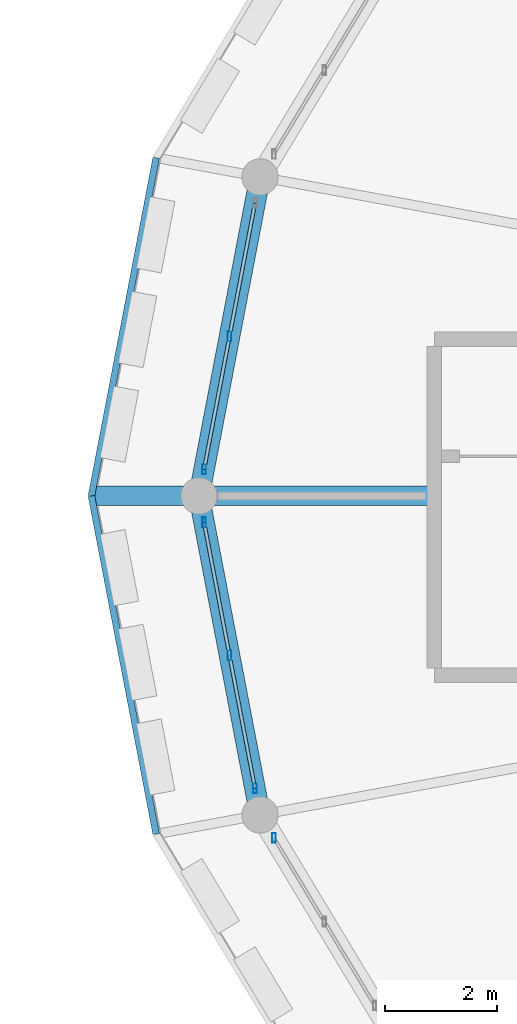
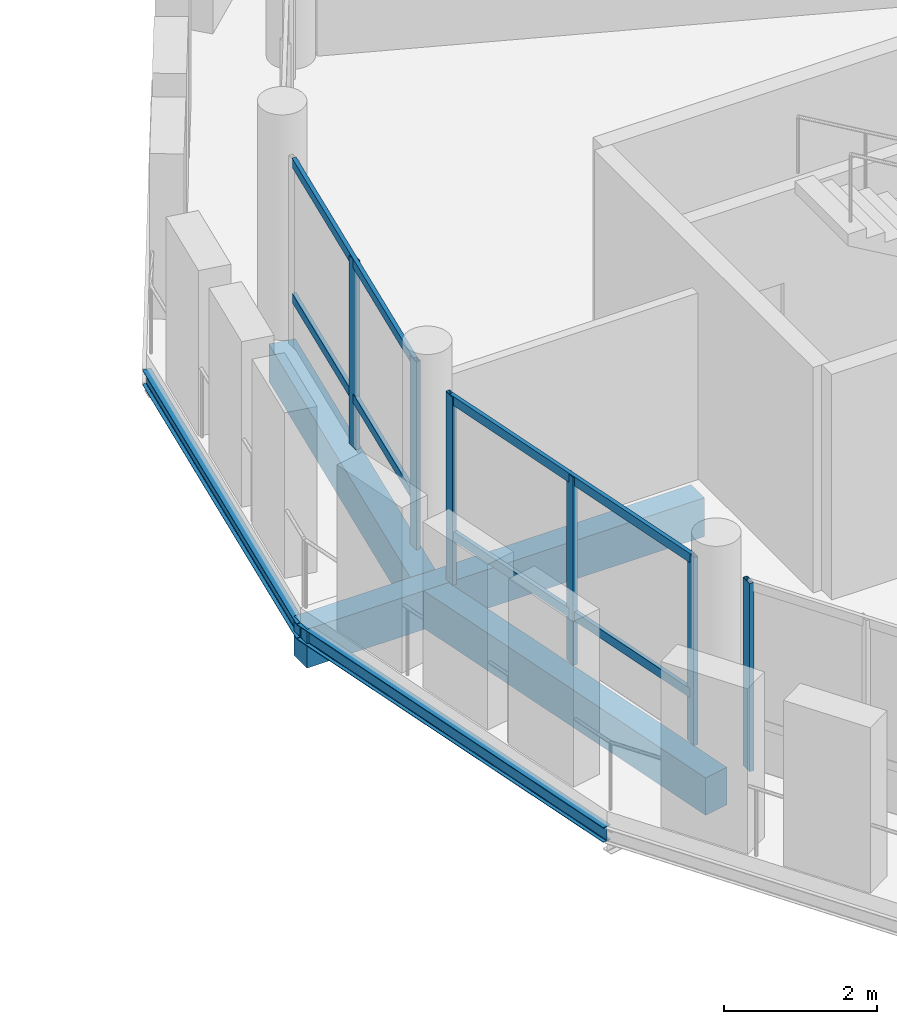
# One storey, part 15 of 93: 10 members, 5 beams, 3 elements without a shape of their own.
"""IFC4 building model written with IfcOpenShell, lengths in metres."""

from ifc_helpers import new_model, si_unit, direction, frame, origin, origin_2d, place, context, subcontext, project, spatial, rectangle, hollow_rectangle, i_section, extrude, material, material_profile, profile_set, type_object, element, aggregate, save


model = new_model("IFC4")

# Units and contexts
model_context = context("Model", 3, precision=1e-05, world=origin(), true_north=direction((0.0, 1.0)))
body_context = subcontext(model_context, "Body", "Model", "MODEL_VIEW")
ifc_project = project(units=[si_unit("LENGTHUNIT", "METRE"), si_unit("AREAUNIT", "SQUARE_METRE"), si_unit("VOLUMEUNIT", "CUBIC_METRE"), si_unit("PLANEANGLEUNIT", "RADIAN"), si_unit("MASSUNIT", "GRAM", prefix="KILO")], contexts=[model_context])

# Site, building, storey
site_placement = place(None, origin())
site = spatial("IfcSite", under=ifc_project, at=site_placement, CompositionType="ELEMENT")
building_placement = place(site_placement, origin())
building = spatial("IfcBuilding", under=site, at=building_placement, Name="Zornivar Specialist Clinic", CompositionType="ELEMENT")
storey_placement = place(building_placement, frame((0.0, 0.0, 8.39990234375)))
storey = spatial("IfcBuildingStorey", under=building, at=storey_placement, Name="L02", CompositionType="ELEMENT", Elevation=8.39990234375)

# Beams
ifc_material_1 = material(Name="Concrete C30/37", Category="concrete")
ifc_material_profile_1 = material_profile(ifc_material_1, rectangle(XDim=0.35009765625, YDim=0.6201171875, at=origin_2d()), Name="RC 350x620")
ifc_profile_set_1 = profile_set([ifc_material_profile_1], Name="Concrete C30/37")
beam_type_1 = type_object("IfcBeamType", Name="BM-RC-CANT-350x620", PredefinedType="BEAM", material=ifc_profile_set_1)
beam_1_placement = place(storey_placement, frame((65.699951171875, 57.60009765625, -0.5498046875), z_axis=(-1.0, 0.0, 0.0), x_axis=(0.0, -1.0, 0.0)))
element("IfcBeam", 1, at=beam_1_placement, inside=storey, type_object=beam_type_1, Name="bm:V1:L02:radcant:12", PredefinedType="BEAM", context=body_context, shape_type="SweptSolid", body=[
    extrude(rectangle(XDim=0.35009765625, YDim=0.6201171875, at=origin_2d()), origin(), (0.0, 0.0, 1.0), 6.02001953125),
])
ifc_material_2 = material(Name="Concrete C30/37", Category="concrete")
ifc_material_profile_2 = material_profile(ifc_material_2, rectangle(XDim=0.3701171875, YDim=0.60009765625, at=origin_2d()), Name="RC 370x600")
ifc_profile_set_2 = profile_set([ifc_material_profile_2], Name="Concrete C30/37")
beam_type_2 = type_object("IfcBeamType", Name="BM-RC-SPANDREL-370x600", PredefinedType="SPANDREL", material=ifc_profile_set_2)
beam_2_placement = place(storey_placement, frame((62.68994140625, 63.2939453125, -0.539794921875), z_axis=(-0.187994479835, -0.982170084838, 0.0), x_axis=(0.982170084838, -0.187994479835, 0.0)))
element("IfcBeam", 2, at=beam_2_placement, inside=storey, type_object=beam_type_2, Name="bm:V1:L02:outring:11", PredefinedType="SPANDREL", context=body_context, shape_type="SweptSolid", body=[
    extrude(rectangle(XDim=0.3701171875, YDim=0.60009765625, at=origin_2d()), origin(), (0.0, 0.0, 1.0), 5.797119140625),
])
beam_3_placement = place(storey_placement, frame((61.60009765625, 57.60009765625, -0.539794921875), z_axis=(0.187986704214, -0.982171573117, 0.0), x_axis=(0.982171573117, 0.187986704214, 0.0)))
element("IfcBeam", 3, at=beam_3_placement, inside=storey, type_object=beam_type_2, Name="bm:V1:L02:outring:12", PredefinedType="SPANDREL", context=body_context, shape_type="SweptSolid", body=[
    extrude(rectangle(XDim=0.3701171875, YDim=0.60009765625, at=origin_2d()), origin(), (0.0, 0.0, 1.0), 5.79736328125),
])
ifc_material_3 = material(Name="Steel S355J2", Category="steel")
ifc_material_profile_3 = material_profile(ifc_material_3, i_section(OverallWidth=0.1201171875, OverallDepth=0.239990234375, WebThickness=0.006103515625, FlangeThickness=0.009765625, FilletRadius=0.014892578125, at=origin_2d()), Name="IPE 240")
ifc_profile_set_3 = profile_set([ifc_material_profile_3], Name="Steel S355J2")
beam_type_3 = type_object("IfcBeamType", Name="BM-STL-IPE240", PredefinedType="JOIST", material=ifc_profile_set_3)
beam_4_placement = place(storey_placement, frame((60.8359375, 63.635986328125, -0.35986328125), z_axis=(-0.188103253611, -0.982149258505, 0.0), x_axis=(0.982149258505, -0.188103253611, 0.0)))
element("IfcBeam", 4, at=beam_4_placement, inside=storey, type_object=beam_type_3, Name="bm:V1:L02:balring:11", PredefinedType="JOIST", context=body_context, shape_type="SweptSolid", body=[
    extrude(i_section(OverallWidth=0.1201171875, OverallDepth=0.239990234375, WebThickness=0.006103515625, FlangeThickness=0.009765625, FilletRadius=0.014892578125, at=origin_2d()), origin(), (0.0, 0.0, 1.0), 6.1455078125),
])
beam_5_placement = place(storey_placement, frame((59.679931640625, 57.60009765625, -0.35986328125), z_axis=(0.188095914668, -0.982150664046, 0.0), x_axis=(0.982150664046, 0.188095914668, 0.0)))
element("IfcBeam", 5, at=beam_5_placement, inside=storey, type_object=beam_type_3, Name="bm:V1:L02:balring:12", PredefinedType="JOIST", context=body_context, shape_type="SweptSolid", body=[
    extrude(i_section(OverallWidth=0.1201171875, OverallDepth=0.239990234375, WebThickness=0.006103515625, FlangeThickness=0.009765625, FilletRadius=0.014892578125, at=origin_2d()), origin(), (0.0, 0.0, 1.0), 6.145751953125),
])

# Curtain wall, members
ifc_material_4 = material(Name="Aluminium and Low-E Glass Curtain Wall", Category="aluminium")
curtain_wall_type = type_object("IfcCurtainWallType", Name="CW-DRUM-FACET", PredefinedType="NOTDEFINED", material=ifc_material_4)
curtain_wall_1_placement = place(storey_placement, origin())
curtain_wall_1 = element("IfcCurtainWall", 6, at=curtain_wall_1_placement, inside=storey, type_object=curtain_wall_type, Name="cw:V1:L02:c11", PredefinedType="NOTDEFINED")
ifc_material_5 = material(Name="Aluminium AW-6060", Category="aluminium")
ifc_material_profile_4 = material_profile(ifc_material_5, hollow_rectangle(XDim=0.06494140625, YDim=0.175048828125, WallThickness=0.00439453125, at=origin_2d()), Name="ALU 65x175x4.5")
ifc_profile_set_4 = profile_set([ifc_material_profile_4], Name="Aluminium AW-6060")
member_type_1 = type_object("IfcMemberType", Name="CWM-MUL-175", PredefinedType="MULLION", material=ifc_profile_set_4)
member_1_placement = place(storey_placement, frame((62.14501953125, 60.447021484375, 0.0), z_axis=(0.0, 0.0, 1.0), x_axis=(1.0, 0.0, 0.0)))
member_1 = element("IfcMember", 7, at=member_1_placement, type_object=member_type_1, Name="cw:V1:L02:c11:mul:1", PredefinedType="MULLION", context=body_context, shape_type="SweptSolid", body=[
    extrude(hollow_rectangle(XDim=0.06494140625, YDim=0.175048828125, WallThickness=0.00439453125, at=origin_2d()), origin(), (0.0, 0.0, 1.0), 3.010009765625),
])
member_2_placement = place(storey_placement, frame((61.68994140625, 58.071044921875, 0.0), z_axis=(0.0, 0.0, 1.0), x_axis=(1.0, 0.0, 0.0)))
member_2 = element("IfcMember", 8, at=member_2_placement, type_object=member_type_1, Name="cw:V1:L02:c11:mul:2", PredefinedType="MULLION", context=body_context, shape_type="SweptSolid", body=[
    extrude(hollow_rectangle(XDim=0.06494140625, YDim=0.175048828125, WallThickness=0.00439453125, at=origin_2d()), origin(), (0.0, 0.0, 1.0), 3.010009765625),
])

curtain_wall_2_placement = place(storey_placement, origin())
curtain_wall_2 = element("IfcCurtainWall", 9, at=curtain_wall_2_placement, inside=storey, type_object=curtain_wall_type, Name="cw:V1:L02:c12", PredefinedType="NOTDEFINED")
member_3_placement = place(storey_placement, frame((61.69091796875, 57.12890625, 0.0), z_axis=(0.0, 0.0, 1.0), x_axis=(1.0, 0.0, 0.0)))
member_3 = element("IfcMember", 10, at=member_3_placement, type_object=member_type_1, Name="cw:V1:L02:c12:mul:0", PredefinedType="MULLION", context=body_context, shape_type="SweptSolid", body=[
    extrude(hollow_rectangle(XDim=0.06494140625, YDim=0.175048828125, WallThickness=0.00439453125, at=origin_2d()), origin(), (0.0, 0.0, 1.0), 3.010009765625),
])
member_4_placement = place(storey_placement, frame((62.14501953125, 54.7529296875, 0.0), z_axis=(0.0, 0.0, 1.0), x_axis=(1.0, 0.0, 0.0)))
member_4 = element("IfcMember", 11, at=member_4_placement, type_object=member_type_1, Name="cw:V1:L02:c12:mul:1", PredefinedType="MULLION", context=body_context, shape_type="SweptSolid", body=[
    extrude(hollow_rectangle(XDim=0.06494140625, YDim=0.175048828125, WallThickness=0.00439453125, at=origin_2d()), origin(), (0.0, 0.0, 1.0), 3.010009765625),
])
member_5_placement = place(storey_placement, frame((62.60009765625, 52.376953125, 0.0), z_axis=(0.0, 0.0, 1.0), x_axis=(1.0, 0.0, 0.0)))
member_5 = element("IfcMember", 12, at=member_5_placement, type_object=member_type_1, Name="cw:V1:L02:c12:mul:2", PredefinedType="MULLION", context=body_context, shape_type="SweptSolid", body=[
    extrude(hollow_rectangle(XDim=0.06494140625, YDim=0.175048828125, WallThickness=0.00439453125, at=origin_2d()), origin(), (0.0, 0.0, 1.0), 3.010009765625),
])

# Curtain wall, member
curtain_wall_3_placement = place(storey_placement, origin())
curtain_wall_3 = element("IfcCurtainWall", 13, at=curtain_wall_3_placement, inside=storey, type_object=curtain_wall_type, Name="cw:V1:L02:c13", PredefinedType="NOTDEFINED")
member_6_placement = place(storey_placement, frame((62.93798828125, 51.4951171875, 0.0), z_axis=(0.0, 0.0, 1.0), x_axis=(1.0, 0.0, 0.0)))
member_6 = element("IfcMember", 14, at=member_6_placement, type_object=member_type_1, Name="cw:V1:L02:c13:mul:0", PredefinedType="MULLION", context=body_context, shape_type="SweptSolid", body=[
    extrude(hollow_rectangle(XDim=0.06494140625, YDim=0.175048828125, WallThickness=0.00439453125, at=origin_2d()), origin(), (0.0, 0.0, 1.0), 3.010009765625),
])
aggregate(curtain_wall_3, [member_6])

# Member
ifc_material_6 = material(Name="Aluminium AW-6060", Category="aluminium")
ifc_material_profile_5 = material_profile(ifc_material_6, hollow_rectangle(XDim=0.06005859375, YDim=0.14501953125, WallThickness=0.00390625, at=origin_2d()), Name="ALU 60x145x4")
ifc_profile_set_5 = profile_set([ifc_material_profile_5], Name="Aluminium AW-6060")
member_type_2 = type_object("IfcMemberType", Name="CWM-TRN-145", PredefinedType="USERDEFINED", material=ifc_profile_set_5)
member_7_placement = place(storey_placement, frame((62.59912109375, 62.822998046875, 0.783203125), z_axis=(-0.187724259088, -0.982221768518, 0.0), x_axis=(0.982221768518, -0.187724259088, 0.0)))
member_7 = element("IfcMember", 15, at=member_7_placement, type_object=member_type_2, Name="cw:V1:L02:c11:trn:0", ObjectType="TRANSOM", PredefinedType="USERDEFINED", context=body_context, shape_type="SweptSolid", body=[
    extrude(hollow_rectangle(XDim=0.06005859375, YDim=0.14501953125, WallThickness=0.00390625, at=origin_2d()), origin(), (0.0, 0.0, 1.0), 4.837890625),
])

member_8_placement = place(storey_placement, frame((62.59912109375, 62.822998046875, 2.945068359375), z_axis=(-0.187724259088, -0.982221768518, 0.0), x_axis=(0.982221768518, -0.187724259088, 0.0)))
member_8 = element("IfcMember", 16, at=member_8_placement, type_object=member_type_2, Name="cw:V1:L02:c11:trn:1", ObjectType="TRANSOM", PredefinedType="USERDEFINED", context=body_context, shape_type="SweptSolid", body=[
    extrude(hollow_rectangle(XDim=0.06005859375, YDim=0.14501953125, WallThickness=0.00390625, at=origin_2d()), origin(), (0.0, 0.0, 1.0), 4.837890625),
])

aggregate(curtain_wall_1, [member_1, member_2, member_7, member_8])

member_9_placement = place(storey_placement, frame((61.69091796875, 57.12890625, 0.783203125), z_axis=(0.187724259088, -0.982221768518, 0.0), x_axis=(0.982221768518, 0.187724259088, 0.0)))
member_9 = element("IfcMember", 17, at=member_9_placement, type_object=member_type_2, Name="cw:V1:L02:c12:trn:0", ObjectType="TRANSOM", PredefinedType="USERDEFINED", context=body_context, shape_type="SweptSolid", body=[
    extrude(hollow_rectangle(XDim=0.06005859375, YDim=0.14501953125, WallThickness=0.00390625, at=origin_2d()), origin(), (0.0, 0.0, 1.0), 4.837890625),
])

member_10_placement = place(storey_placement, frame((61.69091796875, 57.12890625, 2.945068359375), z_axis=(0.187724259088, -0.982221768518, 0.0), x_axis=(0.982221768518, 0.187724259088, 0.0)))
member_10 = element("IfcMember", 18, at=member_10_placement, type_object=member_type_2, Name="cw:V1:L02:c12:trn:1", ObjectType="TRANSOM", PredefinedType="USERDEFINED", context=body_context, shape_type="SweptSolid", body=[
    extrude(hollow_rectangle(XDim=0.06005859375, YDim=0.14501953125, WallThickness=0.00390625, at=origin_2d()), origin(), (0.0, 0.0, 1.0), 4.837890625),
])

aggregate(curtain_wall_2, [member_3, member_4, member_5, member_9, member_10])

save(model, "model.ifc")
